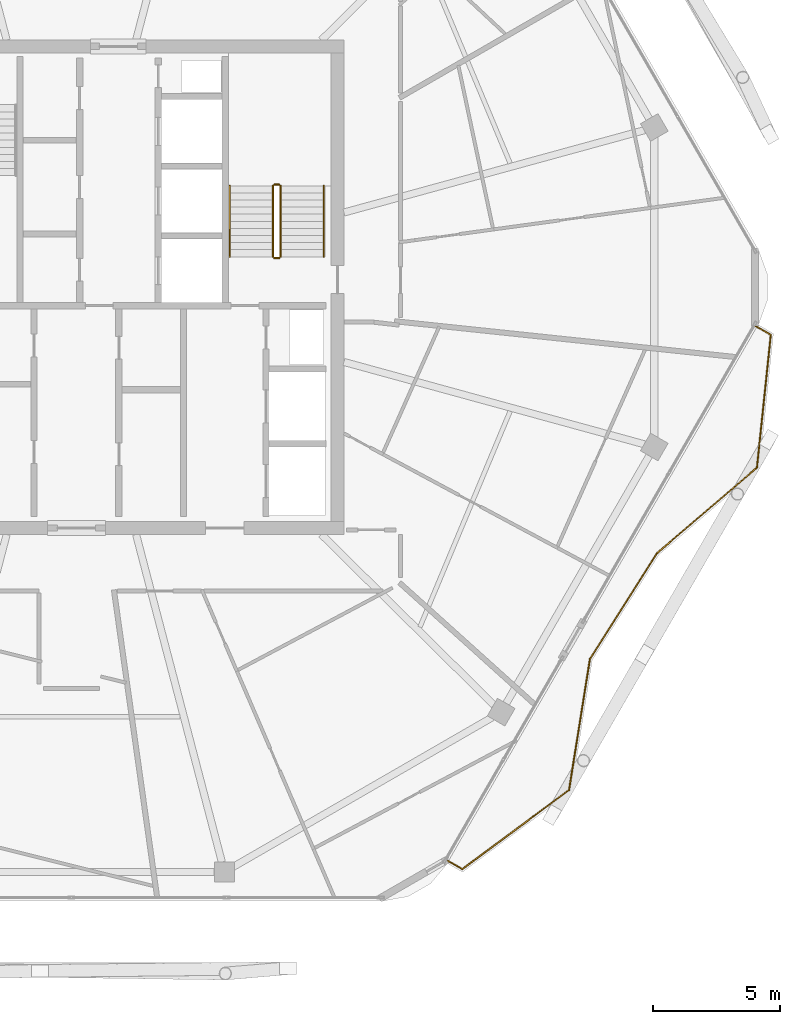
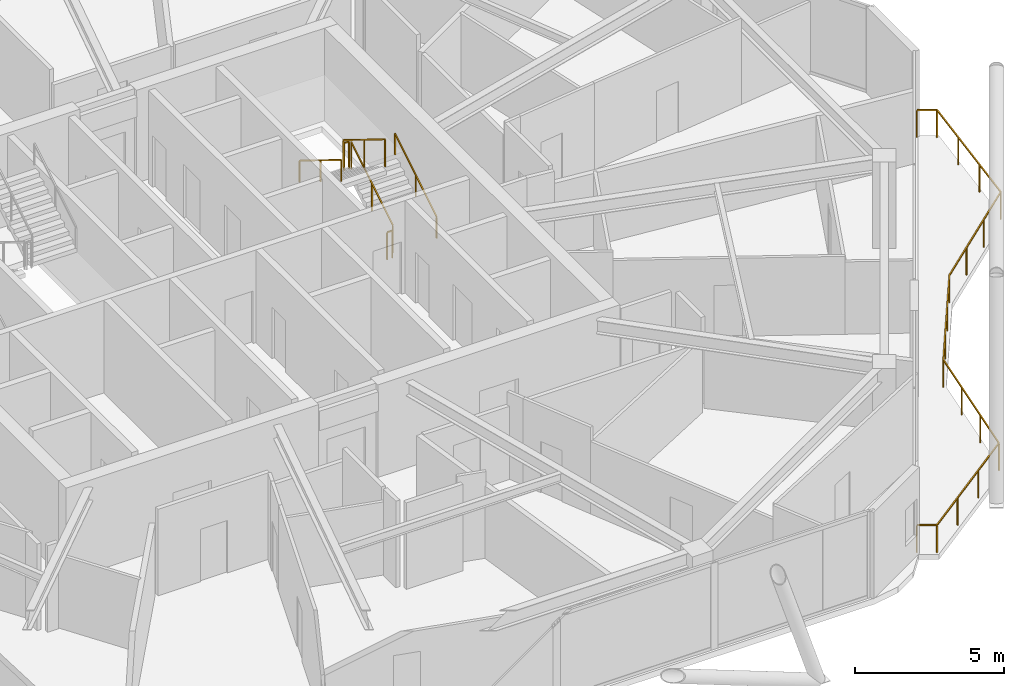
# One storey, part 22 of 23: 7 railings.
"""IFC4 building model written with IfcOpenShell, lengths in metres."""

from ifc_helpers import new_model, si_unit, direction, frame, origin, origin_2d, place, context, subcontext, project, spatial, rectangle, extrude, material, type_object, element, save


model = new_model("IFC4")

# Units and contexts
model_context = context("Model", 3, precision=1e-05, world=origin(), true_north=direction((0.0, 1.0)))
body_context = subcontext(model_context, "Body", "Model", "MODEL_VIEW")
ifc_project = project(units=[si_unit("LENGTHUNIT", "METRE"), si_unit("AREAUNIT", "SQUARE_METRE"), si_unit("VOLUMEUNIT", "CUBIC_METRE"), si_unit("PLANEANGLEUNIT", "RADIAN"), si_unit("MASSUNIT", "GRAM", prefix="KILO")], contexts=[model_context])

# Site, building, storey
site_placement = place(None, origin())
site = spatial("IfcSite", under=ifc_project, at=site_placement, CompositionType="ELEMENT")
building_placement = place(site_placement, origin())
building = spatial("IfcBuilding", under=site, at=building_placement, Name="Zuhravey Tower", CompositionType="ELEMENT")
storey_placement = place(building_placement, frame((0.0, 0.0, 315.800048828125)))
storey = spatial("IfcBuildingStorey", under=building, at=storey_placement, Name="L80", CompositionType="ELEMENT", Elevation=315.800048828125)

# Railings
ifc_material_1 = material(Name="Stainless steel 316 and laminated glass", Category="steel")
railing_type_1 = type_object("IfcRailingType", Name="Balcony & Terrace Guardrail 1150", PredefinedType="BALUSTRADE", material=ifc_material_1)
railing_1_placement = place(storey_placement, frame((63.006591796875, 30.45849609375, 0.0)))
element("IfcRailing", 1, at=railing_1_placement, inside=storey, type_object=railing_type_1, Name="L80 Face 6 Wave Balcony Guardrail GR1", PredefinedType="BALUSTRADE", context=body_context, shape_type="SweptSolid", body=[
    extrude(rectangle(XDim=0.048095703125, YDim=0.048095703125, at=origin_2d()), frame((0.001708984375, -0.0009765625, 1.1259765625), z_axis=(0.865896406789, -0.500223362819, 0.0), x_axis=(0.500223362819, 0.865896406789, 0.0)), (0.0, 0.0, 1.0), 0.6708984375),
    extrude(rectangle(XDim=0.048095703125, YDim=0.048095703125, at=origin_2d()), frame((0.584228515625, -0.339599609375, 1.1259765625), z_axis=(-0.104091293518, -0.994567746618, 0.0), x_axis=(0.994567746618, -0.104091293518, 0.0)), (0.0, 0.0, 1.0), 5.263916015625),
    extrude(rectangle(XDim=0.048095703125, YDim=0.048095703125, at=origin_2d()), frame((0.03466796875, -5.578125, 1.1259765625), z_axis=(-0.760094311717, -0.649812770954, 0.0), x_axis=(0.649812770954, -0.760094311717, 0.0)), (0.0, 0.0, 1.0), 5.17626953125),
    extrude(rectangle(XDim=0.048095703125, YDim=0.048095703125, at=origin_2d()), frame((-3.90234375, -8.94482421875, 1.1259765625), z_axis=(-0.535501677565, -0.844534163504, 0.0), x_axis=(0.844534163504, -0.535501677565, 0.0)), (0.0, 0.0, 1.0), 4.943115234375),
    extrude(rectangle(XDim=0.048095703125, YDim=0.048095703125, at=origin_2d()), frame((-6.55078125, -13.123046875, 1.1259765625), z_axis=(-0.157519305698, -0.987515907888, 0.0), x_axis=(0.987515907888, -0.157519305698, 0.0)), (0.0, 0.0, 1.0), 5.22998046875),
    extrude(rectangle(XDim=0.048095703125, YDim=0.048095703125, at=origin_2d()), frame((-7.376708984375, -18.291015625, 1.1259765625), z_axis=(-0.803085805431, -0.595863398033, 0.0), x_axis=(0.595863398033, -0.803085805431, 0.0)), (0.0, 0.0, 1.0), 5.237548828125),
    extrude(rectangle(XDim=0.048095703125, YDim=0.048095703125, at=origin_2d()), frame((-11.586181640625, -21.412109375, 1.1259765625), z_axis=(-0.865938274818, 0.50015088144, 0.0), x_axis=(-0.50015088144, -0.865938274818, 0.0)), (0.0, 0.0, 1.0), 0.670166015625),
    extrude(rectangle(XDim=0.0419921875, YDim=0.0419921875, at=origin_2d()), origin(), (0.0, 0.0, 1.0), 1.099853515625),
    extrude(rectangle(XDim=0.0419921875, YDim=0.0419921875, at=origin_2d()), frame((0.58447265625, -0.337646484375, 0.0)), (0.0, 0.0, 1.0), 1.099853515625),
    extrude(rectangle(XDim=0.0419921875, YDim=0.0419921875, at=origin_2d()), frame((0.401611328125, -2.083984375, 0.0)), (0.0, 0.0, 1.0), 1.099853515625),
    extrude(rectangle(XDim=0.0419921875, YDim=0.0419921875, at=origin_2d()), frame((0.218994140625, -3.83056640625, 0.0)), (0.0, 0.0, 1.0), 1.099853515625),
    extrude(rectangle(XDim=0.0419921875, YDim=0.0419921875, at=origin_2d()), frame((0.0361328125, -5.576904296875, 0.0)), (0.0, 0.0, 1.0), 1.099853515625),
    extrude(rectangle(XDim=0.0419921875, YDim=0.0419921875, at=origin_2d()), frame((-1.2763671875, -6.698974609375, 0.0)), (0.0, 0.0, 1.0), 1.099853515625),
    extrude(rectangle(XDim=0.0419921875, YDim=0.0419921875, at=origin_2d()), frame((-2.5888671875, -7.821044921875, 0.0)), (0.0, 0.0, 1.0), 1.099853515625),
    extrude(rectangle(XDim=0.0419921875, YDim=0.0419921875, at=origin_2d()), frame((-3.9013671875, -8.943115234375, 0.0)), (0.0, 0.0, 1.0), 1.099853515625),
    extrude(rectangle(XDim=0.0419921875, YDim=0.0419921875, at=origin_2d()), frame((-4.784423828125, -10.335693359375, 0.0)), (0.0, 0.0, 1.0), 1.099853515625),
    extrude(rectangle(XDim=0.0419921875, YDim=0.0419921875, at=origin_2d()), frame((-5.66748046875, -11.728515625, 0.0)), (0.0, 0.0, 1.0), 1.099853515625),
    extrude(rectangle(XDim=0.0419921875, YDim=0.0419921875, at=origin_2d()), frame((-6.550537109375, -13.12109375, 0.0)), (0.0, 0.0, 1.0), 1.099853515625),
    extrude(rectangle(XDim=0.0419921875, YDim=0.0419921875, at=origin_2d()), frame((-6.825439453125, -14.843994140625, 0.0)), (0.0, 0.0, 1.0), 1.099853515625),
    extrude(rectangle(XDim=0.0419921875, YDim=0.0419921875, at=origin_2d()), frame((-7.10009765625, -16.56689453125, 0.0)), (0.0, 0.0, 1.0), 1.099853515625),
    extrude(rectangle(XDim=0.0419921875, YDim=0.0419921875, at=origin_2d()), frame((-7.375, -18.289794921875, 0.0)), (0.0, 0.0, 1.0), 1.099853515625),
    extrude(rectangle(XDim=0.0419921875, YDim=0.0419921875, at=origin_2d()), frame((-8.778076171875, -19.330810546875, 0.0)), (0.0, 0.0, 1.0), 1.099853515625),
    extrude(rectangle(XDim=0.0419921875, YDim=0.0419921875, at=origin_2d()), frame((-10.181396484375, -20.3720703125, 0.0)), (0.0, 0.0, 1.0), 1.099853515625),
    extrude(rectangle(XDim=0.0419921875, YDim=0.0419921875, at=origin_2d()), frame((-11.58447265625, -21.4130859375, 0.0)), (0.0, 0.0, 1.0), 1.099853515625),
    extrude(rectangle(XDim=0.0419921875, YDim=0.0419921875, at=origin_2d()), frame((-12.168212890625, -21.075927734375, 0.0)), (0.0, 0.0, 1.0), 1.099853515625),
])
ifc_material_2 = material(Name="Brushed stainless steel", Category="steel")
railing_type_2 = type_object("IfcRailingType", Name="Stair Wall Handrail 900", PredefinedType="HANDRAIL", material=ifc_material_2)
railing_2_placement = place(storey_placement, frame((45.949951171875, 33.199951171875, 0.172607421875)))
element("IfcRailing", 2, at=railing_2_placement, inside=storey, type_object=railing_type_2, Name="L80 ST2 stair handrail 1", PredefinedType="HANDRAIL", context=body_context, shape_type="SweptSolid", body=[
    extrude(rectangle(XDim=0.048095703125, YDim=0.048095703125, at=origin_2d()), frame((0.0, 0.001708984375, 0.876953125), z_axis=(0.0, 0.851089632645, 0.525020415988), x_axis=(-1.0, 0.0, 0.0)), (0.0, 0.0, 1.0), 3.285888671875),
    extrude(rectangle(XDim=0.0419921875, YDim=0.0419921875, at=origin_2d()), origin(), (0.0, 0.0, 1.0), 0.849853515625),
    extrude(rectangle(XDim=0.0419921875, YDim=0.0419921875, at=origin_2d()), frame((0.0, 1.39990234375, 0.86376953125)), (0.0, 0.0, 1.0), 0.849853515625),
    extrude(rectangle(XDim=0.0419921875, YDim=0.0419921875, at=origin_2d()), frame((0.0, 2.800048828125, 1.727294921875)), (0.0, 0.0, 1.0), 0.849853515625),
])
railing_3_placement = place(storey_placement, frame((42.25, 36.0, 2.07275390625)))
element("IfcRailing", 3, at=railing_3_placement, inside=storey, type_object=railing_type_2, Name="L80 ST2 stair handrail 2", PredefinedType="HANDRAIL", context=body_context, shape_type="SweptSolid", body=[
    extrude(rectangle(XDim=0.048095703125, YDim=0.048095703125, at=origin_2d()), frame((0.0, -0.001708984375, 0.876953125), z_axis=(0.0, -0.851089632645, 0.525020415988), x_axis=(1.0, 0.0, 0.0)), (0.0, 0.0, 1.0), 3.285888671875),
    extrude(rectangle(XDim=0.0419921875, YDim=0.0419921875, at=origin_2d()), origin(), (0.0, 0.0, 1.0), 0.849853515625),
    extrude(rectangle(XDim=0.0419921875, YDim=0.0419921875, at=origin_2d()), frame((0.0, -1.39990234375, 0.86376953125)), (0.0, 0.0, 1.0), 0.849853515625),
    extrude(rectangle(XDim=0.0419921875, YDim=0.0419921875, at=origin_2d()), frame((0.0, -2.800048828125, 1.727294921875)), (0.0, 0.0, 1.0), 0.849853515625),
])
ifc_material_3 = material(Name="Painted tubular steel", Category="steel")
railing_type_3 = type_object("IfcRailingType", Name="Stair Well Guardrail 1150", PredefinedType="GUARDRAIL", material=ifc_material_3)
railing_4_placement = place(storey_placement, frame((44.25, 33.199951171875, 0.172607421875)))
element("IfcRailing", 4, at=railing_4_placement, inside=storey, type_object=railing_type_3, Name="L80 ST2 stair guard 1", PredefinedType="GUARDRAIL", context=body_context, shape_type="SweptSolid", body=[
    extrude(rectangle(XDim=0.048095703125, YDim=0.048095703125, at=origin_2d()), frame((0.0, 0.001708984375, 1.126953125), z_axis=(0.0, 0.851089632645, 0.525020415988), x_axis=(-1.0, 0.0, 0.0)), (0.0, 0.0, 1.0), 3.285888671875),
    extrude(rectangle(XDim=0.0419921875, YDim=0.0419921875, at=origin_2d()), origin(), (0.0, 0.0, 1.0), 1.099853515625),
    extrude(rectangle(XDim=0.0419921875, YDim=0.0419921875, at=origin_2d()), frame((0.0, 1.39990234375, 0.86376953125)), (0.0, 0.0, 1.0), 1.099853515625),
    extrude(rectangle(XDim=0.0419921875, YDim=0.0419921875, at=origin_2d()), frame((0.0, 2.800048828125, 1.727294921875)), (0.0, 0.0, 1.0), 1.099853515625),
])
railing_5_placement = place(storey_placement, frame((44.199951171875, 36.050048828125, 1.89990234375)))
element("IfcRailing", 5, at=railing_5_placement, inside=storey, type_object=railing_type_3, Name="L80 ST2 stair guard 2", PredefinedType="GUARDRAIL", context=body_context, shape_type="SweptSolid", body=[
    extrude(rectangle(XDim=0.048095703125, YDim=0.048095703125, at=origin_2d()), frame((-0.001953125, 0.0, 1.1259765625), z_axis=(-1.0, 0.0, 0.0), x_axis=(0.0, -1.0, 0.0)), (0.0, 0.0, 1.0), 0.196044921875),
    extrude(rectangle(XDim=0.0419921875, YDim=0.0419921875, at=origin_2d()), origin(), (0.0, 0.0, 1.0), 1.099853515625),
    extrude(rectangle(XDim=0.0419921875, YDim=0.0419921875, at=origin_2d()), frame((-0.199951171875, 0.0, 0.0)), (0.0, 0.0, 1.0), 1.099853515625),
])
railing_6_placement = place(storey_placement, frame((43.949951171875, 36.0, 2.07275390625)))
element("IfcRailing", 6, at=railing_6_placement, inside=storey, type_object=railing_type_3, Name="L80 ST2 stair guard 3", PredefinedType="GUARDRAIL", context=body_context, shape_type="SweptSolid", body=[
    extrude(rectangle(XDim=0.048095703125, YDim=0.048095703125, at=origin_2d()), frame((0.0, -0.001708984375, 1.126953125), z_axis=(0.0, -0.851089632645, 0.525020415988), x_axis=(1.0, 0.0, 0.0)), (0.0, 0.0, 1.0), 3.285888671875),
    extrude(rectangle(XDim=0.0419921875, YDim=0.0419921875, at=origin_2d()), origin(), (0.0, 0.0, 1.0), 1.099853515625),
    extrude(rectangle(XDim=0.0419921875, YDim=0.0419921875, at=origin_2d()), frame((0.0, -1.39990234375, 0.86376953125)), (0.0, 0.0, 1.0), 1.099853515625),
    extrude(rectangle(XDim=0.0419921875, YDim=0.0419921875, at=origin_2d()), frame((0.0, -2.800048828125, 1.727294921875)), (0.0, 0.0, 1.0), 1.099853515625),
])
railing_7_placement = place(storey_placement, frame((44.199951171875, 33.14990234375, 0.0)))
element("IfcRailing", 7, at=railing_7_placement, inside=storey, type_object=railing_type_3, Name="L80 ST2 stair guard 4", PredefinedType="GUARDRAIL", context=body_context, shape_type="SweptSolid", body=[
    extrude(rectangle(XDim=0.048095703125, YDim=0.048095703125, at=origin_2d()), frame((-0.001953125, 0.0, 1.1259765625), z_axis=(-1.0, 0.0, 0.0), x_axis=(0.0, -1.0, 0.0)), (0.0, 0.0, 1.0), 0.196044921875),
    extrude(rectangle(XDim=0.0419921875, YDim=0.0419921875, at=origin_2d()), origin(), (0.0, 0.0, 1.0), 1.099853515625),
    extrude(rectangle(XDim=0.0419921875, YDim=0.0419921875, at=origin_2d()), frame((-0.199951171875, 0.0, 0.0)), (0.0, 0.0, 1.0), 1.099853515625),
])

save(model, "model.ifc")
